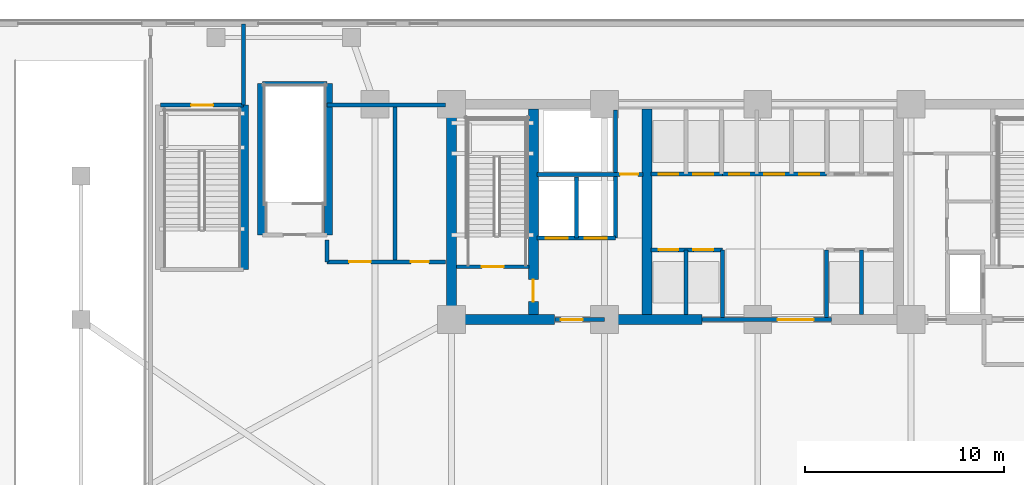
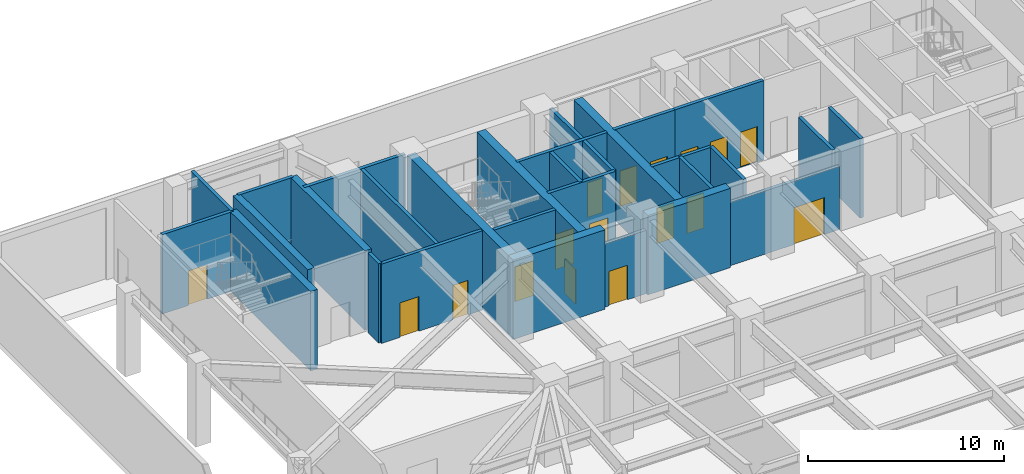
# One storey, part 4 of 15: 29 walls, 17 doors, 17 openings.
"""IFC4 building model written with IfcOpenShell, lengths in metres."""

from ifc_helpers import new_model, si_unit, direction, frame, frame_2d, origin, place, context, subcontext, project, spatial, rectangle, extrude, material, layer, layer_set, type_object, element, fill, save


model = new_model("IFC4")

# Units and contexts
model_context = context("Model", 3, precision=1e-05, world=origin(), true_north=direction((0.0, 1.0)))
body_context = subcontext(model_context, "Body", "Model", "MODEL_VIEW")
ifc_project = project(units=[si_unit("LENGTHUNIT", "METRE"), si_unit("AREAUNIT", "SQUARE_METRE"), si_unit("VOLUMEUNIT", "CUBIC_METRE"), si_unit("PLANEANGLEUNIT", "RADIAN"), si_unit("MASSUNIT", "GRAM", prefix="KILO")], contexts=[model_context])

# Site, building, storey
site_placement = place(None, origin())
site = spatial("IfcSite", under=ifc_project, at=site_placement, CompositionType="ELEMENT")
building_placement = place(site_placement, origin())
building = spatial("IfcBuilding", under=site, at=building_placement, Name="Yelkora Congress Tower", CompositionType="ELEMENT")
storey_placement = place(building_placement, origin())
storey = spatial("IfcBuildingStorey", under=building, at=storey_placement, Name="L00", CompositionType="ELEMENT", Elevation=0.0)

# Walls
ifc_material_1 = material(Name="Concrete C50/60", Category="concrete")
ifc_layer_1 = layer(ifc_material_1, 0.39990234375)
ifc_layer_set_1 = layer_set([ifc_layer_1], Name="Concrete C50/60")
wall_type_1 = type_object("IfcWallType", Name="WALL-CORE-INT-400", PredefinedType="SHEAR", material=ifc_layer_set_1)
wall_1_placement = place(storey_placement, frame((12.659912109375, 37.89990234375, 0.0), z_axis=(0.0, 0.0, 1.0), x_axis=(0.0, 1.0, 0.0)))
element("IfcWall", 1, at=wall_1_placement, inside=storey, type_object=wall_type_1, Name="L00 STP1 East Shear Wall", PredefinedType="SHEAR", context=body_context, shape_type="SweptSolid", body=[
    extrude(rectangle(XDim=8.25, YDim=0.39990234375, at=frame_2d((4.125, 0.0))), origin(), (0.0, 0.0, 1.0), 4.93994140625),
])
for number, where, z_axis, x_axis, name in (
    (2, (13.5, 39.64990234375, 0.0), (0.0, 0.0, 1.0), (0.0, 1.0, 0.0), "L00 STB1 W Shear Wall"),
    (3, (16.860107421875, 39.64990234375, 0.0), (0.0, 0.0, 1.0), (0.0, 1.0, 0.0), "L00 STB1 E Shear Wall"),
):
    element("IfcWall", number, at=place(storey_placement, frame(where, z_axis=z_axis, x_axis=x_axis)), inside=storey, type_object=wall_type_1, Name=name, PredefinedType="SHEAR", context=body_context, shape_type="SweptSolid", body=[
        extrude(rectangle(XDim=7.60009765625, YDim=0.39990234375, at=frame_2d((3.800048828125, 0.0))), origin(), (0.0, 0.0, 1.0), 4.93994140625),
    ])
ifc_material_2 = material(Name="Concrete C60/75", Category="concrete")
ifc_layer_2 = layer(ifc_material_2, 0.5)
ifc_layer_set_2 = layer_set([ifc_layer_2], Name="Concrete C60/75")
wall_type_2 = type_object("IfcWallType", Name="WALL-CORE-INT-500", PredefinedType="SHEAR", material=ifc_layer_set_2)
wall_2_placement = place(storey_placement, frame((22.7900390625, 35.39990234375, 0.0), z_axis=(0.0, 0.0, 1.0), x_axis=(1.0, 0.0, 0.0)))
element("IfcWall", 4, at=wall_2_placement, inside=storey, type_object=wall_type_2, Name="L00 Rear Core South-West Shear Wall", PredefinedType="SHEAR", context=body_context, shape_type="SweptSolid", body=[
    extrude(rectangle(XDim=5.409912109375, YDim=0.5, at=frame_2d((2.705078125, 0.0))), origin(), (0.0, 0.0, 1.0), 4.93994140625),
])
wall_3_placement = place(storey_placement, frame((30.719970703125, 35.39990234375, 0.0), z_axis=(0.0, 0.0, 1.0), x_axis=(1.0, 0.0, 0.0)))
element("IfcWall", 5, at=wall_3_placement, inside=storey, type_object=wall_type_2, Name="L00 Rear Core South-Center Shear Pier", PredefinedType="SHEAR", context=body_context, shape_type="SweptSolid", body=[
    extrude(rectangle(XDim=4.880126953125, YDim=0.5, at=frame_2d((2.43994140625, 0.0))), origin(), (0.0, 0.0, 1.0), 4.93994140625),
])
wall_4_placement = place(storey_placement, frame((23.0400390625, 35.64990234375, 0.0), z_axis=(0.0, 0.0, 1.0), x_axis=(0.0, 1.0, 0.0)))
element("IfcWall", 6, at=wall_4_placement, inside=storey, type_object=wall_type_2, Name="L00 Rear Core Cross Shear Wall W", PredefinedType="SHEAR", context=body_context, shape_type="SweptSolid", body=[
    extrude(rectangle(XDim=10.300048828125, YDim=0.5, at=frame_2d((5.14990234375, 0.0))), origin(), (0.0, 0.0, 1.0), 4.93994140625),
])

# Wall, opening, door
wall_5_placement = place(storey_placement, frame((27.14990234375, 35.64990234375, 0.0), z_axis=(0.0, 0.0, 1.0), x_axis=(0.0, 1.0, 0.0)))
wall_5 = element("IfcWall", 7, at=wall_5_placement, inside=storey, type_object=wall_type_2, Name="L00 Rear Core Cross Shear Wall C1", PredefinedType="SHEAR", context=body_context, shape_type="SweptSolid", body=[
    extrude(rectangle(XDim=10.300048828125, YDim=0.5, at=frame_2d((5.14990234375, 0.0))), origin(), (0.0, 0.0, 1.0), 4.93994140625),
])
opening_1_placement = place(wall_5_placement, frame((0.64990234375, 0.0, 0.0)))
opening_1 = element("IfcOpeningElement", 8, at=opening_1_placement, cuts=wall_5, Name="Opening DR-110F9", PredefinedType="OPENING", context=body_context, shape_type="SweptSolid", body=[
    extrude(rectangle(XDim=1.10009765625, YDim=2.14990234375, at=frame_2d((0.550048828125, 1.074951171875))), frame((0.0, 0.260009765625, 0.0), z_axis=(0.0, -1.0, 0.0), x_axis=(1.0, 0.0, 0.0)), (0.0, 0.0, 1.0), 0.52001953125),
])
ifc_material_3 = material(Name="Galvanised steel fire door leaf", Category="steel")
door_type_1 = type_object("IfcDoorType", Name="DOOR-FD90-1100", OperationType="NOTDEFINED", PredefinedType="DOOR", material=ifc_material_3)
door_1_placement = place(opening_1_placement, origin())
door_1 = element("IfcDoor", 9, at=door_1_placement, inside=storey, type_object=door_type_1, Name="L00 Firefighting Stair Transfer Door", OperationType="SINGLE_SWING_LEFT", OverallHeight=2.14990234375, OverallWidth=1.10009765625, PredefinedType="DOOR", context=body_context, shape_type="SweptSolid", body=[
    extrude(rectangle(XDim=1.10009765625, YDim=2.14990234375, at=frame_2d((0.550048828125, 1.074951171875))), frame((0.0, 0.02490234375, 0.0), z_axis=(0.0, -1.0, 0.0), x_axis=(1.0, 0.0, 0.0)), (0.0, 0.0, 1.0), 0.050048828125),
])
fill(opening_1, door_1)

# Wall
wall_6_placement = place(storey_placement, frame((32.85009765625, 35.64990234375, 0.0), z_axis=(0.0, 0.0, 1.0), x_axis=(0.0, 1.0, 0.0)))
element("IfcWall", 10, at=wall_6_placement, inside=storey, type_object=wall_type_2, Name="L00 Rear Core Cross Shear Wall C2", PredefinedType="SHEAR", context=body_context, shape_type="SweptSolid", body=[
    extrude(rectangle(XDim=10.300048828125, YDim=0.5, at=frame_2d((5.14990234375, 0.0))), origin(), (0.0, 0.0, 1.0), 4.93994140625),
])

# Wall, opening, door
ifc_material_4 = material(Name="Autoclaved aerated concrete blockwork", Category="masonry")
ifc_layer_3 = layer(ifc_material_4, 0.199951171875)
ifc_layer_set_3 = layer_set([ifc_layer_3], Name="Autoclaved aerated concrete blockwork")
wall_type_3 = type_object("IfcWallType", Name="WALL-INT-200-R120", PredefinedType="PARTITIONING", material=ifc_layer_set_3)
wall_7_placement = place(storey_placement, frame((23.300048828125, 38.050048828125, 0.0), z_axis=(0.0, 0.0, 1.0), x_axis=(1.0, 0.0, 0.0)))
wall_7 = element("IfcWall", 11, at=wall_7_placement, inside=storey, type_object=wall_type_3, Name="L00 Stair ST-01 Enclosure Wall", PredefinedType="PARTITIONING", context=body_context, shape_type="SweptSolid", body=[
    extrude(rectangle(XDim=3.619873046875, YDim=0.199951171875, at=frame_2d((1.81005859375, 0.0))), origin(), (0.0, 0.0, 1.0), 4.93994140625),
])
opening_2_placement = place(wall_7_placement, frame((1.260009765625, 0.0, 0.0)))
opening_2 = element("IfcOpeningElement", 12, at=opening_2_placement, cuts=wall_7, Name="Opening DR-110F9", PredefinedType="OPENING", context=body_context, shape_type="SweptSolid", body=[
    extrude(rectangle(XDim=1.10009765625, YDim=2.14990234375, at=frame_2d((0.550048828125, 1.074951171875))), frame((0.0, 0.10986328125, 0.0), z_axis=(0.0, -1.0, 0.0), x_axis=(1.0, 0.0, 0.0)), (0.0, 0.0, 1.0), 0.219970703125),
])
door_2_placement = place(opening_2_placement, origin())
door_2 = element("IfcDoor", 13, at=door_2_placement, inside=storey, type_object=door_type_1, Name="L00 Stair ST-01 Entry Door", OperationType="SINGLE_SWING_LEFT", OverallHeight=2.14990234375, OverallWidth=1.10009765625, PredefinedType="DOOR", context=body_context, shape_type="SweptSolid", body=[
    extrude(rectangle(XDim=1.10009765625, YDim=2.14990234375, at=frame_2d((0.550048828125, 1.074951171875))), frame((0.0, 0.02490234375, 0.0), z_axis=(0.0, -1.0, 0.0), x_axis=(1.0, 0.0, 0.0)), (0.0, 0.0, 1.0), 0.050048828125),
])
fill(opening_2, door_2)

wall_8_placement = place(storey_placement, frame((28.219970703125, 35.39990234375, 0.0), z_axis=(0.0, 0.0, 1.0), x_axis=(1.0, 0.0, 0.0)))
wall_8 = element("IfcWall", 14, at=wall_8_placement, inside=storey, type_object=wall_type_3, Name="L00 Firefighting Lobby South Wall", PredefinedType="PARTITIONING", context=body_context, shape_type="SweptSolid", body=[
    extrude(rectangle(XDim=2.5, YDim=0.199951171875, at=frame_2d((1.25, 0.0))), origin(), (0.0, 0.0, 1.0), 3.93505859375),
])
opening_3_placement = place(wall_8_placement, frame((0.300048828125, 0.0, 0.0)))
opening_3 = element("IfcOpeningElement", 15, at=opening_3_placement, cuts=wall_8, Name="Opening DR-110F9", PredefinedType="OPENING", context=body_context, shape_type="SweptSolid", body=[
    extrude(rectangle(XDim=1.10009765625, YDim=2.14990234375, at=frame_2d((0.550048828125, 1.074951171875))), frame((0.0, 0.10986328125, 0.0), z_axis=(0.0, -1.0, 0.0), x_axis=(1.0, 0.0, 0.0)), (0.0, 0.0, 1.0), 0.219970703125),
])
door_3_placement = place(opening_3_placement, origin())
door_3 = element("IfcDoor", 16, at=door_3_placement, inside=storey, type_object=door_type_1, Name="L00 Firefighting Lobby Corridor Door", OperationType="SINGLE_SWING_RIGHT", OverallHeight=2.14990234375, OverallWidth=1.10009765625, PredefinedType="DOOR", context=body_context, shape_type="SweptSolid", body=[
    extrude(rectangle(XDim=1.10009765625, YDim=2.14990234375, at=frame_2d((0.550048828125, 1.074951171875))), frame((0.0, 0.02490234375, 0.0), z_axis=(0.0, -1.0, 0.0), x_axis=(1.0, 0.0, 0.0)), (0.0, 0.0, 1.0), 0.050048828125),
])
fill(opening_3, door_3)

# Wall, openings, doors
wall_9_placement = place(storey_placement, frame((27.320068359375, 39.47998046875, 0.0), z_axis=(0.0, 0.0, 1.0), x_axis=(1.0, 0.0, 0.0)))
wall_9 = element("IfcWall", 17, at=wall_9_placement, inside=storey, type_object=wall_type_3, Name="L00 Firefighting Lift Front Wall", PredefinedType="PARTITIONING", context=body_context, shape_type="SweptSolid", body=[
    extrude(rectangle(XDim=3.93994140625, YDim=0.199951171875, at=frame_2d((1.969970703125, 0.0))), origin(), (0.0, 0.0, 1.0), 4.93994140625),
])
opening_4_placement = place(wall_9_placement, frame((0.449951171875, 0.0, 0.0)))
opening_4 = element("IfcOpeningElement", 18, at=opening_4_placement, cuts=wall_9, Name="Opening LD-FF11", PredefinedType="OPENING", context=body_context, shape_type="SweptSolid", body=[
    extrude(rectangle(XDim=1.10009765625, YDim=2.199951171875, at=frame_2d((0.550048828125, 1.10009765625))), frame((0.0, 0.10986328125, 0.0), z_axis=(0.0, -1.0, 0.0), x_axis=(1.0, 0.0, 0.0)), (0.0, 0.0, 1.0), 0.219970703125),
])
opening_5_placement = place(wall_9_placement, frame((2.409912109375, 0.0, 0.0)))
opening_5 = element("IfcOpeningElement", 19, at=opening_5_placement, cuts=wall_9, Name="Opening LD-FF11", PredefinedType="OPENING", context=body_context, shape_type="SweptSolid", body=[
    extrude(rectangle(XDim=1.10009765625, YDim=2.199951171875, at=frame_2d((0.550048828125, 1.10009765625))), frame((0.0, 0.10986328125, 0.0), z_axis=(0.0, -1.0, 0.0), x_axis=(1.0, 0.0, 0.0)), (0.0, 0.0, 1.0), 0.219970703125),
])
ifc_material_5 = material(Name="Brushed stainless steel 316L landing door", Category="steel")
door_type_2 = type_object("IfcDoorType", Name="DOOR-LIFT-FF-1100", OperationType="DOUBLE_DOOR_SLIDING", PredefinedType="DOOR", material=ifc_material_5)
door_4_placement = place(opening_4_placement, origin())
door_4 = element("IfcDoor", 20, at=door_4_placement, inside=storey, type_object=door_type_2, Name="Lift Landing Door LF-FF1 L00", OperationType="DOUBLE_DOOR_SLIDING", OverallHeight=2.199951171875, OverallWidth=1.10009765625, PredefinedType="DOOR", context=body_context, shape_type="SweptSolid", body=[
    extrude(rectangle(XDim=1.10009765625, YDim=2.199951171875, at=frame_2d((0.550048828125, 1.10009765625))), frame((0.0, 0.02490234375, 0.0), z_axis=(0.0, -1.0, 0.0), x_axis=(1.0, 0.0, 0.0)), (0.0, 0.0, 1.0), 0.050048828125),
])
fill(opening_4, door_4)
door_5_placement = place(opening_5_placement, origin())
door_5 = element("IfcDoor", 21, at=door_5_placement, inside=storey, type_object=door_type_2, Name="Lift Landing Door LF-FF2 L00", OperationType="DOUBLE_DOOR_SLIDING", OverallHeight=2.199951171875, OverallWidth=1.10009765625, PredefinedType="DOOR", context=body_context, shape_type="SweptSolid", body=[
    extrude(rectangle(XDim=1.10009765625, YDim=2.199951171875, at=frame_2d((0.550048828125, 1.10009765625))), frame((0.0, 0.02490234375, 0.0), z_axis=(0.0, -1.0, 0.0), x_axis=(1.0, 0.0, 0.0)), (0.0, 0.0, 1.0), 0.050048828125),
])
fill(opening_5, door_5)

# Walls
wall_10_placement = place(storey_placement, frame((29.300048828125, 39.47998046875, 0.0), z_axis=(0.0, 0.0, 1.0), x_axis=(0.0, 1.0, 0.0)))
element("IfcWall", 22, at=wall_10_placement, inside=storey, type_object=wall_type_3, Name="L00 Partition Wall 4", PredefinedType="PARTITIONING", context=body_context, shape_type="SweptSolid", body=[
    extrude(rectangle(XDim=3.070068359375, YDim=0.199951171875, at=frame_2d((1.53515625, 0.0))), origin(), (0.0, 0.0, 1.0), 4.93994140625),
])
wall_11_placement = place(storey_placement, frame((31.260009765625, 39.47998046875, 0.0), z_axis=(0.0, 0.0, 1.0), x_axis=(0.0, 1.0, 0.0)))
element("IfcWall", 23, at=wall_11_placement, inside=storey, type_object=wall_type_3, Name="L00 Partition Wall 5", PredefinedType="PARTITIONING", context=body_context, shape_type="SweptSolid", body=[
    extrude(rectangle(XDim=6.43994140625, YDim=0.199951171875, at=frame_2d((3.219970703125, 0.0))), origin(), (0.0, 0.0, 1.0), 4.93994140625),
])

# Wall, opening, door
wall_12_placement = place(storey_placement, frame((27.320068359375, 42.679931640625, 0.0), z_axis=(0.0, 0.0, 1.0), x_axis=(1.0, 0.0, 0.0)))
wall_12 = element("IfcWall", 24, at=wall_12_placement, inside=storey, type_object=wall_type_3, Name="L00 Smoke Riser South Wall", PredefinedType="PARTITIONING", context=body_context, shape_type="SweptSolid", body=[
    extrude(rectangle(XDim=5.329833984375, YDim=0.199951171875, at=frame_2d((2.6650390625, 0.0))), origin(), (0.0, 0.0, 1.0), 4.93994140625),
])
opening_6_placement = place(wall_12_placement, frame((4.179931640625, 0.0, 0.0)))
opening_6 = element("IfcOpeningElement", 25, at=opening_6_placement, cuts=wall_12, Name="Opening DR-090F6", PredefinedType="OPENING", context=body_context, shape_type="SweptSolid", body=[
    extrude(rectangle(XDim=0.89990234375, YDim=2.14990234375, at=frame_2d((0.449951171875, 1.074951171875))), frame((0.0, 0.10986328125, 0.0), z_axis=(0.0, -1.0, 0.0), x_axis=(1.0, 0.0, 0.0)), (0.0, 0.0, 1.0), 0.219970703125),
])
ifc_material_6 = material(Name="Painted steel riser fire door leaf", Category="steel")
door_type_3 = type_object("IfcDoorType", Name="DOOR-FD60-900", OperationType="NOTDEFINED", PredefinedType="DOOR", material=ifc_material_6)
door_6_placement = place(opening_6_placement, origin())
door_6 = element("IfcDoor", 26, at=door_6_placement, inside=storey, type_object=door_type_3, Name="L00 Riser Access Door", OperationType="SINGLE_SWING_LEFT", OverallHeight=2.14990234375, OverallWidth=0.89990234375, PredefinedType="DOOR", context=body_context, shape_type="SweptSolid", body=[
    extrude(rectangle(XDim=0.89990234375, YDim=2.14990234375, at=frame_2d((0.449951171875, 1.074951171875))), frame((0.0, 0.02490234375, 0.0), z_axis=(0.0, -1.0, 0.0), x_axis=(1.0, 0.0, 0.0)), (0.0, 0.0, 1.0), 0.050048828125),
])
fill(opening_6, door_6)

wall_13_placement = place(storey_placement, frame((35.60009765625, 35.39990234375, 0.0), z_axis=(0.0, 0.0, 1.0), x_axis=(1.0, 0.0, 0.0)))
wall_13 = element("IfcWall", 27, at=wall_13_placement, inside=storey, type_object=wall_type_3, Name="L00 Main Lift Lobby South Portal Wall", PredefinedType="PARTITIONING", context=body_context, shape_type="SweptSolid", body=[
    extrude(rectangle(XDim=6.5, YDim=0.199951171875, at=frame_2d((3.25, 0.0))), origin(), (0.0, 0.0, 1.0), 3.93505859375),
])
opening_7_placement = place(wall_13_placement, frame((3.800048828125, 0.0, 0.0)))
opening_7 = element("IfcOpeningElement", 28, at=opening_7_placement, cuts=wall_13, Name="Opening DR-180D", PredefinedType="OPENING", context=body_context, shape_type="SweptSolid", body=[
    extrude(rectangle(XDim=1.800048828125, YDim=2.300048828125, at=frame_2d((0.89990234375, 1.14990234375))), frame((0.0, 0.10986328125, 0.0), z_axis=(0.0, -1.0, 0.0), x_axis=(1.0, 0.0, 0.0)), (0.0, 0.0, 1.0), 0.219970703125),
])
ifc_material_7 = material(Name="Acoustic double congress hall doors", Category="wood")
door_type_4 = type_object("IfcDoorType", Name="DOOR-DBL-1800", OperationType="DOUBLE_DOOR_SINGLE_SWING", PredefinedType="DOOR", material=ifc_material_7)
door_7_placement = place(opening_7_placement, origin())
door_7 = element("IfcDoor", 29, at=door_7_placement, inside=storey, type_object=door_type_4, Name="L00 Main Lift Lobby Portal Door", OperationType="DOUBLE_DOOR_SINGLE_SWING", OverallHeight=2.300048828125, OverallWidth=1.800048828125, PredefinedType="DOOR", context=body_context, shape_type="SweptSolid", body=[
    extrude(rectangle(XDim=1.800048828125, YDim=2.300048828125, at=frame_2d((0.89990234375, 1.14990234375))), frame((0.0, 0.02490234375, 0.0), z_axis=(0.0, -1.0, 0.0), x_axis=(1.0, 0.0, 0.0)), (0.0, 0.0, 1.0), 0.050048828125),
])
fill(opening_7, door_7)

# Wall, openings, doors
wall_14_placement = place(storey_placement, frame((36.60009765625, 42.699951171875, 0.0), z_axis=(0.0, 0.0, 1.0), x_axis=(1.0, 0.0, 0.0)))
wall_14 = element("IfcWall", 30, at=wall_14_placement, inside=storey, type_object=wall_type_3, Name="L00 Partition Wall 8", PredefinedType="PARTITIONING", context=body_context, shape_type="SweptSolid", body=[
    extrude(rectangle(XDim=5.25, YDim=0.199951171875, at=frame_2d((2.625, 0.0))), origin(), (0.0, 0.0, 1.0), 4.93994140625),
])
opening_8_placement = place(wall_14_placement, frame((0.375, 0.0, 0.0)))
opening_8 = element("IfcOpeningElement", 31, at=opening_8_placement, cuts=wall_14, Name="Opening LD-PS10", PredefinedType="OPENING", context=body_context, shape_type="SweptSolid", body=[
    extrude(rectangle(XDim=1.0, YDim=2.199951171875, at=frame_2d((0.5, 1.10009765625))), frame((0.0, 0.10986328125, 0.0), z_axis=(0.0, -1.0, 0.0), x_axis=(1.0, 0.0, 0.0)), (0.0, 0.0, 1.0), 0.219970703125),
])
opening_9_placement = place(wall_14_placement, frame((2.125, 0.0, 0.0)))
opening_9 = element("IfcOpeningElement", 32, at=opening_9_placement, cuts=wall_14, Name="Opening LD-PS10", PredefinedType="OPENING", context=body_context, shape_type="SweptSolid", body=[
    extrude(rectangle(XDim=1.0, YDim=2.199951171875, at=frame_2d((0.5, 1.10009765625))), frame((0.0, 0.10986328125, 0.0), z_axis=(0.0, -1.0, 0.0), x_axis=(1.0, 0.0, 0.0)), (0.0, 0.0, 1.0), 0.219970703125),
])
opening_10_placement = place(wall_14_placement, frame((3.875, 0.0, 0.0)))
opening_10 = element("IfcOpeningElement", 33, at=opening_10_placement, cuts=wall_14, Name="Opening LD-PS10", PredefinedType="OPENING", context=body_context, shape_type="SweptSolid", body=[
    extrude(rectangle(XDim=1.0, YDim=2.199951171875, at=frame_2d((0.5, 1.10009765625))), frame((0.0, 0.10986328125, 0.0), z_axis=(0.0, -1.0, 0.0), x_axis=(1.0, 0.0, 0.0)), (0.0, 0.0, 1.0), 0.219970703125),
])
ifc_material_8 = material(Name="Champagne stainless steel landing door", Category="steel")
door_type_5 = type_object("IfcDoorType", Name="DOOR-LIFT-PAS-1000", OperationType="DOUBLE_DOOR_SLIDING", PredefinedType="DOOR", material=ifc_material_8)
door_8_placement = place(opening_8_placement, origin())
door_8 = element("IfcDoor", 34, at=door_8_placement, inside=storey, type_object=door_type_5, Name="Lift Landing Door LF-P9 L00", OperationType="DOUBLE_DOOR_SLIDING", OverallHeight=2.199951171875, OverallWidth=1.0, PredefinedType="DOOR", context=body_context, shape_type="SweptSolid", body=[
    extrude(rectangle(XDim=1.0, YDim=2.199951171875, at=frame_2d((0.5, 1.10009765625))), frame((0.0, 0.02490234375, 0.0), z_axis=(0.0, -1.0, 0.0), x_axis=(1.0, 0.0, 0.0)), (0.0, 0.0, 1.0), 0.050048828125),
])
fill(opening_8, door_8)
door_9_placement = place(opening_9_placement, origin())
door_9 = element("IfcDoor", 35, at=door_9_placement, inside=storey, type_object=door_type_5, Name="Lift Landing Door LF-P10 L00", OperationType="DOUBLE_DOOR_SLIDING", OverallHeight=2.199951171875, OverallWidth=1.0, PredefinedType="DOOR", context=body_context, shape_type="SweptSolid", body=[
    extrude(rectangle(XDim=1.0, YDim=2.199951171875, at=frame_2d((0.5, 1.10009765625))), frame((0.0, 0.02490234375, 0.0), z_axis=(0.0, -1.0, 0.0), x_axis=(1.0, 0.0, 0.0)), (0.0, 0.0, 1.0), 0.050048828125),
])
fill(opening_9, door_9)
door_10_placement = place(opening_10_placement, origin())
door_10 = element("IfcDoor", 36, at=door_10_placement, inside=storey, type_object=door_type_5, Name="Lift Landing Door LF-P11 L00", OperationType="DOUBLE_DOOR_SLIDING", OverallHeight=2.199951171875, OverallWidth=1.0, PredefinedType="DOOR", context=body_context, shape_type="SweptSolid", body=[
    extrude(rectangle(XDim=1.0, YDim=2.199951171875, at=frame_2d((0.5, 1.10009765625))), frame((0.0, 0.02490234375, 0.0), z_axis=(0.0, -1.0, 0.0), x_axis=(1.0, 0.0, 0.0)), (0.0, 0.0, 1.0), 0.050048828125),
])
fill(opening_10, door_10)

wall_15_placement = place(storey_placement, frame((33.050048828125, 38.89990234375, 0.0), z_axis=(0.0, 0.0, 1.0), x_axis=(1.0, 0.0, 0.0)))
wall_15 = element("IfcWall", 37, at=wall_15_placement, inside=storey, type_object=wall_type_3, Name="L00 Partition Wall 11", PredefinedType="PARTITIONING", context=body_context, shape_type="SweptSolid", body=[
    extrude(rectangle(XDim=3.570068359375, YDim=0.199951171875, at=frame_2d((1.78515625, 0.0))), origin(), (0.0, 0.0, 1.0), 4.93994140625),
])
opening_11_placement = place(wall_15_placement, frame((0.375, 0.0, 0.0)))
opening_11 = element("IfcOpeningElement", 38, at=opening_11_placement, cuts=wall_15, Name="Opening LD-PS10", PredefinedType="OPENING", context=body_context, shape_type="SweptSolid", body=[
    extrude(rectangle(XDim=1.0, YDim=2.199951171875, at=frame_2d((0.5, 1.10009765625))), frame((0.0, 0.10986328125, 0.0), z_axis=(0.0, -1.0, 0.0), x_axis=(1.0, 0.0, 0.0)), (0.0, 0.0, 1.0), 0.219970703125),
])
opening_12_placement = place(wall_15_placement, frame((2.125, 0.0, 0.0)))
opening_12 = element("IfcOpeningElement", 39, at=opening_12_placement, cuts=wall_15, Name="Opening LD-PS10", PredefinedType="OPENING", context=body_context, shape_type="SweptSolid", body=[
    extrude(rectangle(XDim=1.0, YDim=2.199951171875, at=frame_2d((0.5, 1.10009765625))), frame((0.0, 0.10986328125, 0.0), z_axis=(0.0, -1.0, 0.0), x_axis=(1.0, 0.0, 0.0)), (0.0, 0.0, 1.0), 0.219970703125),
])
door_11_placement = place(opening_11_placement, origin())
door_11 = element("IfcDoor", 40, at=door_11_placement, inside=storey, type_object=door_type_5, Name="Lift Landing Door LF-P1 L00", OperationType="DOUBLE_DOOR_SLIDING", OverallHeight=2.199951171875, OverallWidth=1.0, PredefinedType="DOOR", context=body_context, shape_type="SweptSolid", body=[
    extrude(rectangle(XDim=1.0, YDim=2.199951171875, at=frame_2d((0.5, 1.10009765625))), frame((0.0, 0.02490234375, 0.0), z_axis=(0.0, -1.0, 0.0), x_axis=(1.0, 0.0, 0.0)), (0.0, 0.0, 1.0), 0.050048828125),
])
fill(opening_11, door_11)
door_12_placement = place(opening_12_placement, origin())
door_12 = element("IfcDoor", 41, at=door_12_placement, inside=storey, type_object=door_type_5, Name="Lift Landing Door LF-P2 L00", OperationType="DOUBLE_DOOR_SLIDING", OverallHeight=2.199951171875, OverallWidth=1.0, PredefinedType="DOOR", context=body_context, shape_type="SweptSolid", body=[
    extrude(rectangle(XDim=1.0, YDim=2.199951171875, at=frame_2d((0.5, 1.10009765625))), frame((0.0, 0.02490234375, 0.0), z_axis=(0.0, -1.0, 0.0), x_axis=(1.0, 0.0, 0.0)), (0.0, 0.0, 1.0), 0.050048828125),
])
fill(opening_12, door_12)

wall_16_placement = place(storey_placement, frame((33.050048828125, 42.699951171875, 0.0), z_axis=(0.0, 0.0, 1.0), x_axis=(1.0, 0.0, 0.0)))
wall_16 = element("IfcWall", 42, at=wall_16_placement, inside=storey, type_object=wall_type_3, Name="L00 Partition Wall 12", PredefinedType="PARTITIONING", context=body_context, shape_type="SweptSolid", body=[
    extrude(rectangle(XDim=3.570068359375, YDim=0.199951171875, at=frame_2d((1.78515625, 0.0))), origin(), (0.0, 0.0, 1.0), 4.93994140625),
])
opening_13_placement = place(wall_16_placement, frame((0.375, 0.0, 0.0)))
opening_13 = element("IfcOpeningElement", 43, at=opening_13_placement, cuts=wall_16, Name="Opening LD-PS10", PredefinedType="OPENING", context=body_context, shape_type="SweptSolid", body=[
    extrude(rectangle(XDim=1.0, YDim=2.199951171875, at=frame_2d((0.5, 1.10009765625))), frame((0.0, 0.10986328125, 0.0), z_axis=(0.0, -1.0, 0.0), x_axis=(1.0, 0.0, 0.0)), (0.0, 0.0, 1.0), 0.219970703125),
])
opening_14_placement = place(wall_16_placement, frame((2.125, 0.0, 0.0)))
opening_14 = element("IfcOpeningElement", 44, at=opening_14_placement, cuts=wall_16, Name="Opening LD-PS10", PredefinedType="OPENING", context=body_context, shape_type="SweptSolid", body=[
    extrude(rectangle(XDim=1.0, YDim=2.199951171875, at=frame_2d((0.5, 1.10009765625))), frame((0.0, 0.10986328125, 0.0), z_axis=(0.0, -1.0, 0.0), x_axis=(1.0, 0.0, 0.0)), (0.0, 0.0, 1.0), 0.219970703125),
])
door_13_placement = place(opening_13_placement, origin())
door_13 = element("IfcDoor", 45, at=door_13_placement, inside=storey, type_object=door_type_5, Name="Lift Landing Door LF-P3 L00", OperationType="DOUBLE_DOOR_SLIDING", OverallHeight=2.199951171875, OverallWidth=1.0, PredefinedType="DOOR", context=body_context, shape_type="SweptSolid", body=[
    extrude(rectangle(XDim=1.0, YDim=2.199951171875, at=frame_2d((0.5, 1.10009765625))), frame((0.0, 0.02490234375, 0.0), z_axis=(0.0, -1.0, 0.0), x_axis=(1.0, 0.0, 0.0)), (0.0, 0.0, 1.0), 0.050048828125),
])
fill(opening_13, door_13)
door_14_placement = place(opening_14_placement, origin())
door_14 = element("IfcDoor", 46, at=door_14_placement, inside=storey, type_object=door_type_5, Name="Lift Landing Door LF-P4 L00", OperationType="DOUBLE_DOOR_SLIDING", OverallHeight=2.199951171875, OverallWidth=1.0, PredefinedType="DOOR", context=body_context, shape_type="SweptSolid", body=[
    extrude(rectangle(XDim=1.0, YDim=2.199951171875, at=frame_2d((0.5, 1.10009765625))), frame((0.0, 0.02490234375, 0.0), z_axis=(0.0, -1.0, 0.0), x_axis=(1.0, 0.0, 0.0)), (0.0, 0.0, 1.0), 0.050048828125),
])
fill(opening_14, door_14)

# Walls
wall_17_placement = place(storey_placement, frame((34.800048828125, 35.64990234375, 0.0), z_axis=(0.0, 0.0, 1.0), x_axis=(0.0, 1.0, 0.0)))
element("IfcWall", 47, at=wall_17_placement, inside=storey, type_object=wall_type_3, Name="L00 Partition Wall 13", PredefinedType="PARTITIONING", context=body_context, shape_type="SweptSolid", body=[
    extrude(rectangle(XDim=3.25, YDim=0.199951171875, at=frame_2d((1.625, 0.0))), origin(), (0.0, 0.0, 1.0), 4.93994140625),
])
wall_18_placement = place(storey_placement, frame((36.6201171875, 35.5, 0.0), z_axis=(0.0, 0.0, 1.0), x_axis=(0.0, 1.0, 0.0)))
element("IfcWall", 48, at=wall_18_placement, inside=storey, type_object=wall_type_3, Name="L00 Partition Wall 15", PredefinedType="PARTITIONING", context=body_context, shape_type="SweptSolid", body=[
    extrude(rectangle(XDim=3.39990234375, YDim=0.199951171875, at=frame_2d((1.699951171875, 0.0))), origin(), (0.0, 0.0, 1.0), 4.93994140625),
])
wall_19_placement = place(storey_placement, frame((43.60009765625, 35.64990234375, 0.0), z_axis=(0.0, 0.0, 1.0), x_axis=(0.0, 1.0, 0.0)))
element("IfcWall", 49, at=wall_19_placement, inside=storey, type_object=wall_type_3, Name="L00 Partition Wall 19", PredefinedType="PARTITIONING", context=body_context, shape_type="SweptSolid", body=[
    extrude(rectangle(XDim=3.25, YDim=0.199951171875, at=frame_2d((1.625, 0.0))), origin(), (0.0, 0.0, 1.0), 4.93994140625),
])
wall_20_placement = place(storey_placement, frame((41.85009765625, 35.5, 0.0), z_axis=(0.0, 0.0, 1.0), x_axis=(0.0, 1.0, 0.0)))
element("IfcWall", 50, at=wall_20_placement, inside=storey, type_object=wall_type_3, Name="L00 Partition Wall 21", PredefinedType="PARTITIONING", context=body_context, shape_type="SweptSolid", body=[
    extrude(rectangle(XDim=3.39990234375, YDim=0.199951171875, at=frame_2d((1.699951171875, 0.0))), origin(), (0.0, 0.0, 1.0), 4.93994140625),
])

# Wall, opening, door
wall_21_placement = place(storey_placement, frame((8.449951171875, 46.14990234375, 0.0), z_axis=(0.0, 0.0, 1.0), x_axis=(1.0, 0.0, 0.0)))
wall_21 = element("IfcWall", 51, at=wall_21_placement, inside=storey, type_object=wall_type_3, Name="L00 Partition Wall 32", PredefinedType="PARTITIONING", context=body_context, shape_type="SweptSolid", body=[
    extrude(rectangle(XDim=4.170166015625, YDim=0.199951171875, at=frame_2d((2.0849609375, 0.0))), origin(), (0.0, 0.0, 1.0), 4.93994140625),
])
opening_15_placement = place(wall_21_placement, frame((1.534912109375, 0.0, 0.0)))
opening_15 = element("IfcOpeningElement", 52, at=opening_15_placement, cuts=wall_21, Name="Opening DR-110F9", PredefinedType="OPENING", context=body_context, shape_type="SweptSolid", body=[
    extrude(rectangle(XDim=1.10009765625, YDim=2.14990234375, at=frame_2d((0.550048828125, 1.074951171875))), frame((0.0, 0.10986328125, 0.0), z_axis=(0.0, -1.0, 0.0), x_axis=(1.0, 0.0, 0.0)), (0.0, 0.0, 1.0), 0.219970703125),
])
door_15_placement = place(opening_15_placement, origin())
door_15 = element("IfcDoor", 53, at=door_15_placement, inside=storey, type_object=door_type_1, Name="L00 ST-P1 Protected Discharge Door", OperationType="SINGLE_SWING_RIGHT", OverallHeight=2.14990234375, OverallWidth=1.10009765625, PredefinedType="DOOR", context=body_context, shape_type="SweptSolid", body=[
    extrude(rectangle(XDim=1.10009765625, YDim=2.14990234375, at=frame_2d((0.550048828125, 1.074951171875))), frame((0.0, 0.02490234375, 0.0), z_axis=(0.0, -1.0, 0.0), x_axis=(1.0, 0.0, 0.0)), (0.0, 0.0, 1.0), 0.050048828125),
])
fill(opening_15, door_15)

# Walls
wall_22_placement = place(storey_placement, frame((12.6201171875, 46.14990234375, 0.0), z_axis=(0.0, 0.0, 1.0), x_axis=(0.0, 1.0, 0.0)))
element("IfcWall", 54, at=wall_22_placement, inside=storey, type_object=wall_type_3, Name="L00 Partition Wall 36", PredefinedType="PARTITIONING", context=body_context, shape_type="SweptSolid", body=[
    extrude(rectangle(XDim=4.070068359375, YDim=0.199951171875, at=frame_2d((2.03515625, 0.0))), origin(), (0.0, 0.0, 1.0), 4.93994140625),
])
wall_23_placement = place(storey_placement, frame((13.550048828125, 47.25, 0.0), z_axis=(0.0, 0.0, 1.0), x_axis=(1.0, 0.0, 0.0)))
element("IfcWall", 55, at=wall_23_placement, inside=storey, type_object=wall_type_3, Name="L00 Partition Wall 37", PredefinedType="PARTITIONING", context=body_context, shape_type="SweptSolid", body=[
    extrude(rectangle(XDim=3.25, YDim=0.199951171875, at=frame_2d((1.625, 0.0))), origin(), (0.0, 0.0, 1.0), 4.93994140625),
])
wall_24_placement = place(storey_placement, frame((16.800048828125, 38.300048828125, 0.0), z_axis=(0.0, 0.0, 1.0), x_axis=(0.0, 1.0, 0.0)))
element("IfcWall", 56, at=wall_24_placement, inside=storey, type_object=wall_type_3, Name="L00 Partition Wall 44", PredefinedType="PARTITIONING", context=body_context, shape_type="SweptSolid", body=[
    extrude(rectangle(XDim=1.099853515625, YDim=0.199951171875, at=frame_2d((0.5498046875, 0.0))), origin(), (0.0, 0.0, 1.0), 4.93994140625),
])

# Wall, openings, doors
wall_25_placement = place(storey_placement, frame((16.800048828125, 38.300048828125, 0.0), z_axis=(0.0, 0.0, 1.0), x_axis=(1.0, 0.0, 0.0)))
wall_25 = element("IfcWall", 57, at=wall_25_placement, inside=storey, type_object=wall_type_3, Name="L00 Partition Wall 45", PredefinedType="PARTITIONING", context=body_context, shape_type="SweptSolid", body=[
    extrude(rectangle(XDim=5.949951171875, YDim=0.199951171875, at=frame_2d((2.97509765625, 0.0))), origin(), (0.0, 0.0, 1.0), 4.93994140625),
])
opening_16_placement = place(wall_25_placement, frame((1.10009765625, 0.0, 0.0)))
opening_16 = element("IfcOpeningElement", 58, at=opening_16_placement, cuts=wall_25, Name="Opening DR-110F9", PredefinedType="OPENING", context=body_context, shape_type="SweptSolid", body=[
    extrude(rectangle(XDim=1.10009765625, YDim=2.14990234375, at=frame_2d((0.550048828125, 1.074951171875))), frame((0.0, 0.10986328125, 0.0), z_axis=(0.0, -1.0, 0.0), x_axis=(1.0, 0.0, 0.0)), (0.0, 0.0, 1.0), 0.219970703125),
])
opening_17_placement = place(wall_25_placement, frame((4.199951171875, 0.0, 0.0)))
opening_17 = element("IfcOpeningElement", 59, at=opening_17_placement, cuts=wall_25, Name="Opening DR-090F6", PredefinedType="OPENING", context=body_context, shape_type="SweptSolid", body=[
    extrude(rectangle(XDim=0.89990234375, YDim=2.14990234375, at=frame_2d((0.449951171875, 1.074951171875))), frame((0.0, 0.10986328125, 0.0), z_axis=(0.0, -1.0, 0.0), x_axis=(1.0, 0.0, 0.0)), (0.0, 0.0, 1.0), 0.219970703125),
])
door_16_placement = place(opening_17_placement, origin())
door_16 = element("IfcDoor", 60, at=door_16_placement, inside=storey, type_object=door_type_3, Name="L00 BMS Control Door", OperationType="SINGLE_SWING_RIGHT", OverallHeight=2.14990234375, OverallWidth=0.89990234375, PredefinedType="DOOR", context=body_context, shape_type="SweptSolid", body=[
    extrude(rectangle(XDim=0.89990234375, YDim=2.14990234375, at=frame_2d((0.449951171875, 1.074951171875))), frame((0.0, 0.02490234375, 0.0), z_axis=(0.0, -1.0, 0.0), x_axis=(1.0, 0.0, 0.0)), (0.0, 0.0, 1.0), 0.050048828125),
])
fill(opening_17, door_16)
door_17_placement = place(opening_16_placement, origin())
door_17 = element("IfcDoor", 61, at=door_17_placement, inside=storey, type_object=door_type_1, Name="L00 Fire Command Centre Door", OperationType="SINGLE_SWING_LEFT", OverallHeight=2.14990234375, OverallWidth=1.10009765625, PredefinedType="DOOR", context=body_context, shape_type="SweptSolid", body=[
    extrude(rectangle(XDim=1.10009765625, YDim=2.14990234375, at=frame_2d((0.550048828125, 1.074951171875))), frame((0.0, 0.02490234375, 0.0), z_axis=(0.0, -1.0, 0.0), x_axis=(1.0, 0.0, 0.0)), (0.0, 0.0, 1.0), 0.050048828125),
])
fill(opening_16, door_17)

# Walls
wall_26_placement = place(storey_placement, frame((20.199951171875, 38.300048828125, 0.0), z_axis=(0.0, 0.0, 1.0), x_axis=(0.0, 1.0, 0.0)))
element("IfcWall", 62, at=wall_26_placement, inside=storey, type_object=wall_type_3, Name="L00 Partition Wall 46", PredefinedType="PARTITIONING", context=body_context, shape_type="SweptSolid", body=[
    extrude(rectangle(XDim=7.849853515625, YDim=0.199951171875, at=frame_2d((3.9248046875, 0.0))), origin(), (0.0, 0.0, 1.0), 4.93994140625),
])
wall_27_placement = place(storey_placement, frame((16.800048828125, 46.14990234375, 0.0), z_axis=(0.0, 0.0, 1.0), x_axis=(1.0, 0.0, 0.0)))
element("IfcWall", 63, at=wall_27_placement, inside=storey, type_object=wall_type_3, Name="L00 Partition Wall 47", PredefinedType="PARTITIONING", context=body_context, shape_type="SweptSolid", body=[
    extrude(rectangle(XDim=5.949951171875, YDim=0.199951171875, at=frame_2d((2.97509765625, 0.0))), origin(), (0.0, 0.0, 1.0), 4.93994140625),
])

save(model, "model.ifc")
